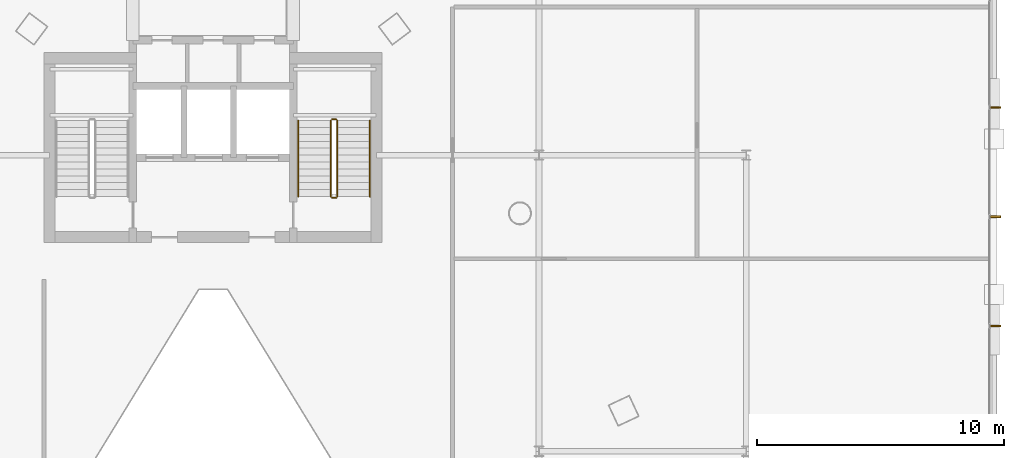
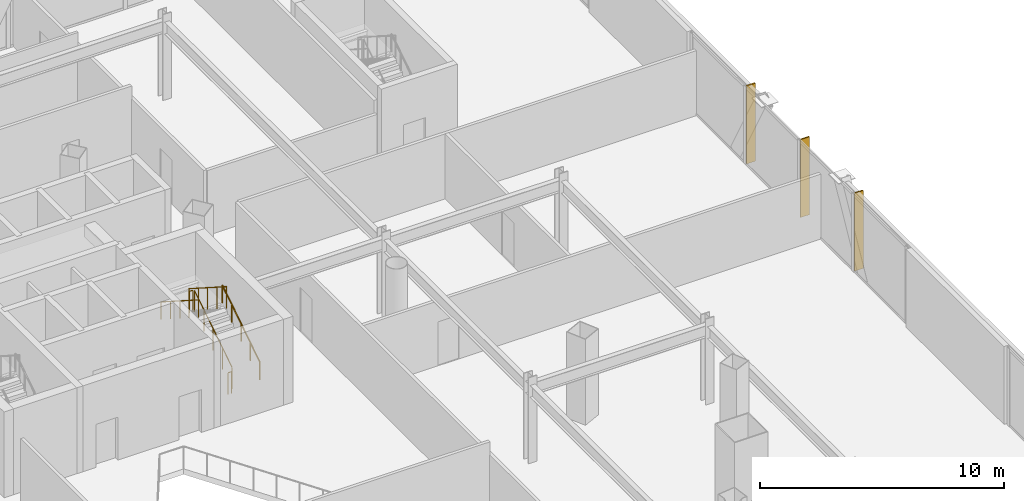
# One storey, part 43 of 46: 6 railings, 3 shading devices.
"""IFC4 building model written with IfcOpenShell, lengths in metres."""

from ifc_helpers import new_model, si_unit, direction, frame, origin, origin_2d, place, context, subcontext, project, spatial, rectangle, circle, extrude, material, layer, layer_set, type_object, element, save


model = new_model("IFC4")

# Units and contexts
model_context = context("Model", 3, precision=1e-05, world=origin(), true_north=direction((0.0, 1.0)))
body_context = subcontext(model_context, "Body", "Model", "MODEL_VIEW")
ifc_project = project(units=[si_unit("LENGTHUNIT", "METRE"), si_unit("AREAUNIT", "SQUARE_METRE"), si_unit("VOLUMEUNIT", "CUBIC_METRE"), si_unit("PLANEANGLEUNIT", "RADIAN"), si_unit("MASSUNIT", "GRAM", prefix="KILO")], contexts=[model_context])

# Site, building, storey
site_placement = place(None, origin())
site = spatial("IfcSite", under=ifc_project, at=site_placement, CompositionType="ELEMENT")
building_placement = place(site_placement, origin())
building = spatial("IfcBuilding", under=site, at=building_placement, Name="Orvanel Arch Residences", CompositionType="ELEMENT")
storey_placement = place(building_placement, frame((0.0, 0.0, 14.10009765625)))
storey = spatial("IfcBuildingStorey", under=building, at=storey_placement, Name="L03", CompositionType="ELEMENT", Elevation=14.10009765625)

# Shading devices
ifc_material_1 = material(Name="Bronze-anodised aluminium AA6063-T6", Category="aluminium")
ifc_layer = layer(ifc_material_1, 0.06494140625)
ifc_layer_set = layer_set([ifc_layer], Name="Bronze-anodised aluminium AA6063-T6")
shading_device_type = type_object("IfcShadingDeviceType", Name="FIN-BRZ-420", PredefinedType="USERDEFINED", material=ifc_layer_set)
for number, where, z_axis, x_axis, name in (
    (1, (64.68994140625, 23.070068359375, 0.0), (0.0, 0.0, 1.0), (1.0, 0.0, 0.0), "L03 Anodised Bronze Mullion FIN 01"),
    (2, (64.68994140625, 27.5, 0.0), (0.0, 0.0, 1.0), (1.0, 0.0, 0.0), "L03 Anodised Bronze Mullion FIN 02"),
    (3, (64.68994140625, 31.929931640625, 0.0), (0.0, 0.0, 1.0), (1.0, 0.0, 0.0), "L03 Anodised Bronze Mullion FIN 03"),
):
    element("IfcShadingDevice", number, at=place(storey_placement, frame(where, z_axis=z_axis, x_axis=x_axis)), inside=storey, type_object=shading_device_type, Name=name, ObjectType="FIN", PredefinedType="USERDEFINED", context=body_context, shape_type="SweptSolid", body=[
        extrude(rectangle(XDim=0.419921875, YDim=0.06494140625, at=origin_2d()), origin(), (0.0, 0.0, 1.0), 3.89990234375),
    ])

# Railings
ifc_material_2 = material(Name="Structural steel AS/NZS 1163 C350L0 (Grade 350)", Category="steel")
railing_type_1 = type_object("IfcRailingType", Name="RL-STAIR-GUARD", PredefinedType="GUARDRAIL", material=ifc_material_2)
railing_1_placement = place(storey_placement, frame((38.030029296875, 28.320068359375, 0.178955078125)))
element("IfcRailing", 4, at=railing_1_placement, inside=storey, type_object=railing_type_1, Name="L03 ST-2 stair guard 1", PredefinedType="GUARDRAIL", context=body_context, shape_type="SweptSolid", body=[
    extrude(circle(Radius=0.02392578125, at=origin_2d()), frame((0.0, 0.001220703125, 1.076904296875), z_axis=(0.0, 0.842289589211, 0.539025275759), x_axis=(-1.0, 0.0, 0.0)), (0.0, 0.0, 1.0), 3.653564453125),
    extrude(circle(Radius=0.02099609375, at=origin_2d()), origin(), (0.0, 0.0, 1.0), 1.050048828125),
    extrude(circle(Radius=0.02099609375, at=origin_2d()), frame((0.0, 0.77001953125, 0.49267578125)), (0.0, 0.0, 1.0), 1.050048828125),
    extrude(circle(Radius=0.02099609375, at=origin_2d()), frame((0.0, 1.5400390625, 0.9853515625)), (0.0, 0.0, 1.0), 1.050048828125),
    extrude(circle(Radius=0.02099609375, at=origin_2d()), frame((0.0, 2.309814453125, 1.478271484375)), (0.0, 0.0, 1.0), 1.050048828125),
    extrude(circle(Radius=0.02099609375, at=origin_2d()), frame((0.0, 3.079833984375, 1.970947265625)), (0.0, 0.0, 1.0), 1.050048828125),
])
railing_2_placement = place(storey_placement, frame((37.97998046875, 31.449951171875, 2.14990234375)))
element("IfcRailing", 5, at=railing_2_placement, inside=storey, type_object=railing_type_1, Name="L03 ST-2 stair guard 2", PredefinedType="GUARDRAIL", context=body_context, shape_type="SweptSolid", body=[
    extrude(circle(Radius=0.02392578125, at=origin_2d()), frame((-0.00146484375, 0.0, 1.076171875), z_axis=(-1.0, 0.0, 0.0), x_axis=(0.0, -1.0, 0.0)), (0.0, 0.0, 1.0), 0.156982421875),
    extrude(circle(Radius=0.02099609375, at=origin_2d()), origin(), (0.0, 0.0, 1.0), 1.050048828125),
    extrude(circle(Radius=0.02099609375, at=origin_2d()), frame((-0.159912109375, 0.0, 0.0)), (0.0, 0.0, 1.0), 1.050048828125),
])
railing_3_placement = place(storey_placement, frame((37.77001953125, 31.39990234375, 2.3291015625)))
element("IfcRailing", 6, at=railing_3_placement, inside=storey, type_object=railing_type_1, Name="L03 ST-2 stair guard 3", PredefinedType="GUARDRAIL", context=body_context, shape_type="SweptSolid", body=[
    extrude(circle(Radius=0.02392578125, at=origin_2d()), frame((0.0, -0.001220703125, 1.076904296875), z_axis=(0.0, -0.842319903074, 0.538977903893), x_axis=(1.0, 0.0, 0.0)), (0.0, 0.0, 1.0), 3.6533203125),
    extrude(circle(Radius=0.02099609375, at=origin_2d()), origin(), (0.0, 0.0, 1.0), 1.050048828125),
    extrude(circle(Radius=0.02099609375, at=origin_2d()), frame((0.0, -0.77001953125, 0.49267578125)), (0.0, 0.0, 1.0), 1.050048828125),
    extrude(circle(Radius=0.02099609375, at=origin_2d()), frame((0.0, -1.5400390625, 0.9853515625)), (0.0, 0.0, 1.0), 1.050048828125),
    extrude(circle(Radius=0.02099609375, at=origin_2d()), frame((0.0, -2.309814453125, 1.47802734375)), (0.0, 0.0, 1.0), 1.050048828125),
    extrude(circle(Radius=0.02099609375, at=origin_2d()), frame((0.0, -3.079833984375, 1.970703125)), (0.0, 0.0, 1.0), 1.050048828125),
])
railing_4_placement = place(storey_placement, frame((37.97998046875, 28.27001953125, 0.0)))
element("IfcRailing", 7, at=railing_4_placement, inside=storey, type_object=railing_type_1, Name="L03 ST-2 stair guard 4", PredefinedType="GUARDRAIL", context=body_context, shape_type="SweptSolid", body=[
    extrude(circle(Radius=0.02392578125, at=origin_2d()), frame((-0.00146484375, 0.0, 1.076171875), z_axis=(-1.0, 0.0, 0.0), x_axis=(0.0, -1.0, 0.0)), (0.0, 0.0, 1.0), 0.156982421875),
    extrude(circle(Radius=0.02099609375, at=origin_2d()), origin(), (0.0, 0.0, 1.0), 1.050048828125),
    extrude(circle(Radius=0.02099609375, at=origin_2d()), frame((-0.159912109375, 0.0, 0.0)), (0.0, 0.0, 1.0), 1.050048828125),
])
railing_type_2 = type_object("IfcRailingType", Name="RL-STAIR-HAND", PredefinedType="HANDRAIL", material=ifc_material_2)
railing_5_placement = place(storey_placement, frame((39.35009765625, 28.320068359375, 0.178955078125)))
element("IfcRailing", 8, at=railing_5_placement, inside=storey, type_object=railing_type_2, Name="L03 ST-2 stair handrail 1", PredefinedType="HANDRAIL", context=body_context, shape_type="SweptSolid", body=[
    extrude(circle(Radius=0.02392578125, at=origin_2d()), frame((0.0, 0.001220703125, 0.876708984375), z_axis=(0.0, 0.842289589211, 0.539025275759), x_axis=(-1.0, 0.0, 0.0)), (0.0, 0.0, 1.0), 3.653564453125),
    extrude(circle(Radius=0.02099609375, at=origin_2d()), origin(), (0.0, 0.0, 1.0), 0.849853515625),
    extrude(circle(Radius=0.02099609375, at=origin_2d()), frame((0.0, 0.77001953125, 0.49267578125)), (0.0, 0.0, 1.0), 0.849853515625),
    extrude(circle(Radius=0.02099609375, at=origin_2d()), frame((0.0, 1.5400390625, 0.9853515625)), (0.0, 0.0, 1.0), 0.849853515625),
    extrude(circle(Radius=0.02099609375, at=origin_2d()), frame((0.0, 2.309814453125, 1.478271484375)), (0.0, 0.0, 1.0), 0.849853515625),
    extrude(circle(Radius=0.02099609375, at=origin_2d()), frame((0.0, 3.079833984375, 1.970947265625)), (0.0, 0.0, 1.0), 0.849853515625),
])
railing_6_placement = place(storey_placement, frame((36.449951171875, 31.39990234375, 2.3291015625)))
element("IfcRailing", 9, at=railing_6_placement, inside=storey, type_object=railing_type_2, Name="L03 ST-2 stair handrail 2", PredefinedType="HANDRAIL", context=body_context, shape_type="SweptSolid", body=[
    extrude(circle(Radius=0.02392578125, at=origin_2d()), frame((0.0, -0.001220703125, 0.876708984375), z_axis=(0.0, -0.842319903074, 0.538977903893), x_axis=(1.0, 0.0, 0.0)), (0.0, 0.0, 1.0), 3.6533203125),
    extrude(circle(Radius=0.02099609375, at=origin_2d()), origin(), (0.0, 0.0, 1.0), 0.849853515625),
    extrude(circle(Radius=0.02099609375, at=origin_2d()), frame((0.0, -0.77001953125, 0.49267578125)), (0.0, 0.0, 1.0), 0.849853515625),
    extrude(circle(Radius=0.02099609375, at=origin_2d()), frame((0.0, -1.5400390625, 0.9853515625)), (0.0, 0.0, 1.0), 0.849853515625),
    extrude(circle(Radius=0.02099609375, at=origin_2d()), frame((0.0, -2.309814453125, 1.47802734375)), (0.0, 0.0, 1.0), 0.849853515625),
    extrude(circle(Radius=0.02099609375, at=origin_2d()), frame((0.0, -3.079833984375, 1.970703125)), (0.0, 0.0, 1.0), 0.849853515625),
])

save(model, "model.ifc")
